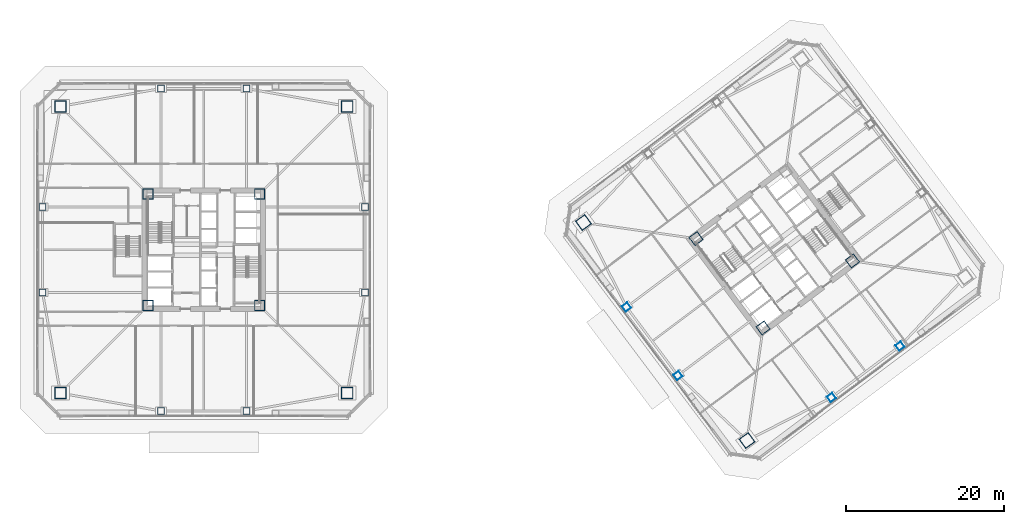
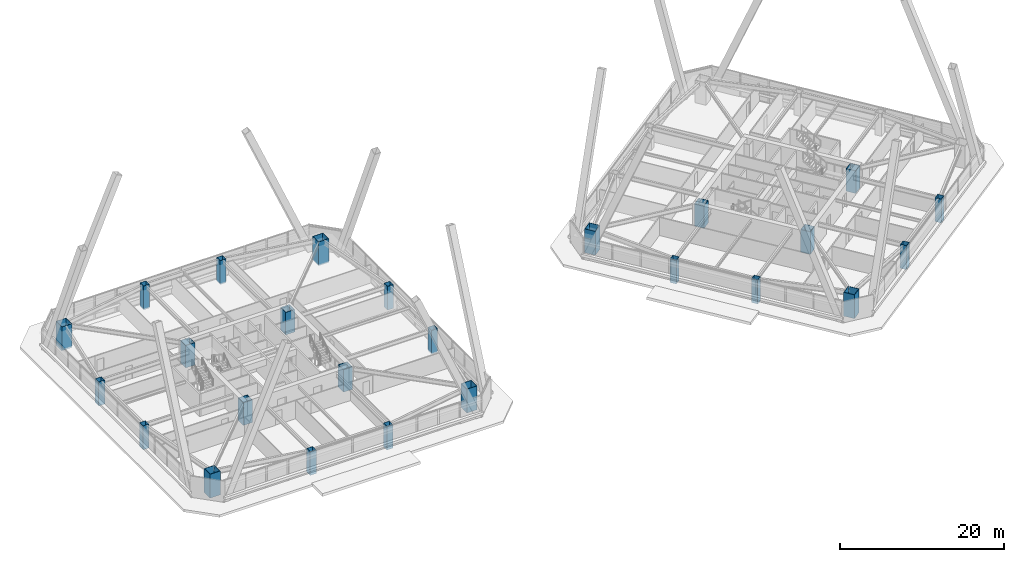
# One storey, part 1 of 67: 25 columns.
"""IFC4 building model written with IfcOpenShell, lengths in metres."""

from ifc_helpers import new_model, si_unit, direction, frame, origin, origin_2d, place, context, subcontext, project, spatial, hollow_rectangle, extrude, material, material_profile, profile_set, type_object, element, save


model = new_model("IFC4")

# Units and contexts
model_context = context("Model", 3, precision=1e-05, world=origin(), true_north=direction((0.0, 1.0)))
body_context = subcontext(model_context, "Body", "Model", "MODEL_VIEW")
ifc_project = project(units=[si_unit("LENGTHUNIT", "METRE"), si_unit("AREAUNIT", "SQUARE_METRE"), si_unit("VOLUMEUNIT", "CUBIC_METRE"), si_unit("PLANEANGLEUNIT", "RADIAN"), si_unit("MASSUNIT", "GRAM", prefix="KILO")], contexts=[model_context])

# Site, building, storey
site_placement = place(None, origin())
site = spatial("IfcSite", under=ifc_project, at=site_placement, CompositionType="ELEMENT")
building_placement = place(site_placement, origin())
building = spatial("IfcBuilding", under=site, at=building_placement, Name="Tashvorn Skyway Center", CompositionType="ELEMENT")
storey_placement = place(building_placement, frame((0.0, 0.0, 67.199951171875)))
storey = spatial("IfcBuildingStorey", under=building, at=storey_placement, Name="L17", CompositionType="ELEMENT", Elevation=67.199951171875)

# Columns
ifc_material = material(Name="Steel ASTM A572 Grade 50", Category="steel")
ifc_material_profile_1 = material_profile(ifc_material, hollow_rectangle(XDim=1.300048828125, YDim=1.300048828125, WallThickness=0.050048828125, at=origin_2d()), Name="BOX1300x1300x50")
ifc_profile_set_1 = profile_set([ifc_material_profile_1], Name="Steel ASTM A572 Grade 50")
column_type_1 = type_object("IfcColumnType", Name="COL-BOX1300x1300x50", PredefinedType="COLUMN", material=ifc_profile_set_1)
for number, where, z_axis, x_axis, name in (
    (1, (34.949951171875, 24.949951171875, 0.0), (0.0, 0.0, 1.0), (1.0, 0.0, 0.0), "Tower 1 L17 Core Corner Column CC-SW"),
    (2, (49.050048828125, 24.949951171875, 0.0), (0.0, 0.0, 1.0), (1.0, 0.0, 0.0), "Tower 1 L17 Core Corner Column CC-SE"),
    (3, (49.050048828125, 39.050048828125, 0.0), (0.0, 0.0, 1.0), (1.0, 0.0, 0.0), "Tower 1 L17 Core Corner Column CC-NE"),
    (4, (34.949951171875, 39.050048828125, 0.0), (0.0, 0.0, 1.0), (1.0, 0.0, 0.0), "Tower 1 L17 Core Corner Column CC-NW"),
    (5, (112.590087890625, 22.1298828125, 0.0), (0.0, 0.0, 1.0), (0.799999996291, 0.600000004945, 0.0), "Tower 2 L17 Core Corner Column CC-SW"),
    (6, (123.8701171875, 30.590087890625, 0.0), (0.0, 0.0, 1.0), (0.799999996291, 0.600000004945, 0.0), "Tower 2 L17 Core Corner Column CC-SE"),
    (7, (104.1298828125, 33.409912109375, 0.0), (0.0, 0.0, 1.0), (0.799999996291, 0.600000004945, 0.0), "Tower 2 L17 Core Corner Column CC-NW"),
):
    element("IfcColumn", number, at=place(storey_placement, frame(where, z_axis=z_axis, x_axis=x_axis)), inside=storey, type_object=column_type_1, Name=name, PredefinedType="COLUMN", context=body_context, shape_type="SweptSolid", body=[
        extrude(hollow_rectangle(XDim=1.300048828125, YDim=1.300048828125, WallThickness=0.050048828125, at=origin_2d()), origin(), (0.0, 0.0, 1.0), 3.35009765625),
    ])
ifc_material_profile_2 = material_profile(ifc_material, hollow_rectangle(XDim=1.449951171875, YDim=1.449951171875, WallThickness=0.054931640625, at=origin_2d()), Name="BOX1450x1450x55")
ifc_profile_set_2 = profile_set([ifc_material_profile_2], Name="Steel ASTM A572 Grade 50")
column_type_2 = type_object("IfcColumnType", Name="COL-BOX1450x1450x55", PredefinedType="COLUMN", material=ifc_profile_set_2)
for number, where, z_axis, x_axis, name in (
    (8, (23.89990234375, 13.89990234375, -0.195068359375), (0.0, 0.0, 1.0), (1.0, 0.0, 0.0), "Tower 1 L17 Mega-Column MC-SW"),
    (9, (60.10009765625, 13.89990234375, -0.195068359375), (0.0, 0.0, 1.0), (1.0, 0.0, 0.0), "Tower 1 L17 Mega-Column MC-SE"),
    (10, (60.10009765625, 50.10009765625, -0.195068359375), (0.0, 0.0, 1.0), (1.0, 0.0, 0.0), "Tower 1 L17 Mega-Column MC-NE"),
    (11, (23.89990234375, 50.10009765625, -0.195068359375), (0.0, 0.0, 1.0), (1.0, 0.0, 0.0), "Tower 1 L17 Mega-Column MC-NW"),
    (12, (110.56005859375, 7.919921875, -0.195068359375), (0.0, 0.0, 1.0), (0.799999996291, 0.600000004945, 0.0), "Tower 2 L17 Mega-Column MC-SW"),
    (13, (89.919921875, 35.43994140625, -0.195068359375), (0.0, 0.0, 1.0), (0.799999996291, 0.600000004945, 0.0), "Tower 2 L17 Mega-Column MC-NW"),
):
    element("IfcColumn", number, at=place(storey_placement, frame(where, z_axis=z_axis, x_axis=x_axis)), inside=storey, type_object=column_type_2, Name=name, PredefinedType="COLUMN", context=body_context, shape_type="SweptSolid", body=[
        extrude(hollow_rectangle(XDim=1.449951171875, YDim=1.449951171875, WallThickness=0.054931640625, at=origin_2d()), origin(), (0.0, 0.0, 1.0), 3.545166015625),
    ])
ifc_material_profile_3 = material_profile(ifc_material, hollow_rectangle(XDim=0.85009765625, YDim=0.85009765625, WallThickness=0.034912109375, at=origin_2d()), Name="BOX850x850x35")
ifc_profile_set_3 = profile_set([ifc_material_profile_3], Name="Steel ASTM A572 Grade 50")
column_type_3 = type_object("IfcColumnType", Name="COL-BOX850x850x35", PredefinedType="COLUMN", material=ifc_profile_set_3)
for number, where, z_axis, x_axis, name in (
    (14, (36.60009765625, 11.64990234375, -0.195068359375), (0.0, 0.0, 1.0), (1.0, 0.0, 0.0), "Tower 1 L17 Perimeter Column FC-S1"),
    (15, (47.39990234375, 11.64990234375, -0.195068359375), (0.0, 0.0, 1.0), (1.0, 0.0, 0.0), "Tower 1 L17 Perimeter Column FC-S2"),
    (16, (62.35009765625, 26.60009765625, -0.195068359375), (0.0, 0.0, 1.0), (1.0, 0.0, 0.0), "Tower 1 L17 Perimeter Column FC-E1"),
    (17, (62.35009765625, 37.39990234375, -0.195068359375), (0.0, 0.0, 1.0), (1.0, 0.0, 0.0), "Tower 1 L17 Perimeter Column FC-E2"),
    (18, (47.39990234375, 52.35009765625, -0.195068359375), (0.0, 0.0, 1.0), (1.0, 0.0, 0.0), "Tower 1 L17 Perimeter Column FC-N1"),
    (19, (36.60009765625, 52.35009765625, -0.195068359375), (0.0, 0.0, 1.0), (1.0, 0.0, 0.0), "Tower 1 L17 Perimeter Column FC-N2"),
    (20, (21.64990234375, 37.39990234375, -0.195068359375), (0.0, 0.0, 1.0), (1.0, 0.0, 0.0), "Tower 1 L17 Perimeter Column FC-W1"),
    (21, (21.64990234375, 26.60009765625, -0.195068359375), (0.0, 0.0, 1.0), (1.0, 0.0, 0.0), "Tower 1 L17 Perimeter Column FC-W2"),
    (22, (121.22998046875, 13.360107421875, -0.195068359375), (0.0, 0.0, 1.0), (0.799999996291, 0.600000004945, 0.0), "Tower 2 L17 Perimeter Column FC-S1"),
    (23, (129.8701171875, 19.840087890625, -0.195068359375), (0.0, 0.0, 1.0), (0.799999996291, 0.600000004945, 0.0), "Tower 2 L17 Perimeter Column FC-S2"),
    (24, (95.360107421875, 24.77001953125, -0.195068359375), (0.0, 0.0, 1.0), (0.799999996291, 0.600000004945, 0.0), "Tower 2 L17 Perimeter Column FC-W1"),
    (25, (101.840087890625, 16.1298828125, -0.195068359375), (0.0, 0.0, 1.0), (0.799999996291, 0.600000004945, 0.0), "Tower 2 L17 Perimeter Column FC-W2"),
):
    element("IfcColumn", number, at=place(storey_placement, frame(where, z_axis=z_axis, x_axis=x_axis)), inside=storey, type_object=column_type_3, Name=name, PredefinedType="COLUMN", context=body_context, shape_type="SweptSolid", body=[
        extrude(hollow_rectangle(XDim=0.85009765625, YDim=0.85009765625, WallThickness=0.034912109375, at=origin_2d()), origin(), (0.0, 0.0, 1.0), 3.545166015625),
    ])

save(model, "model.ifc")
